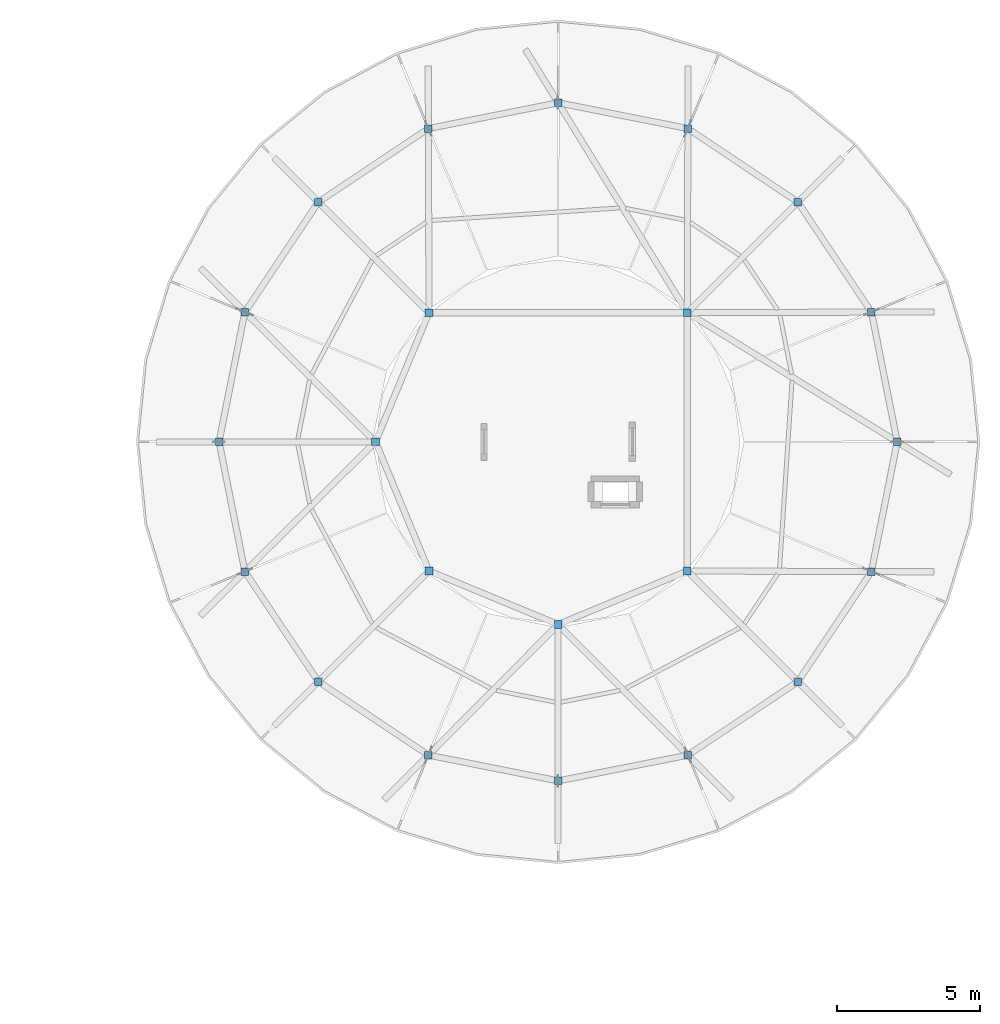
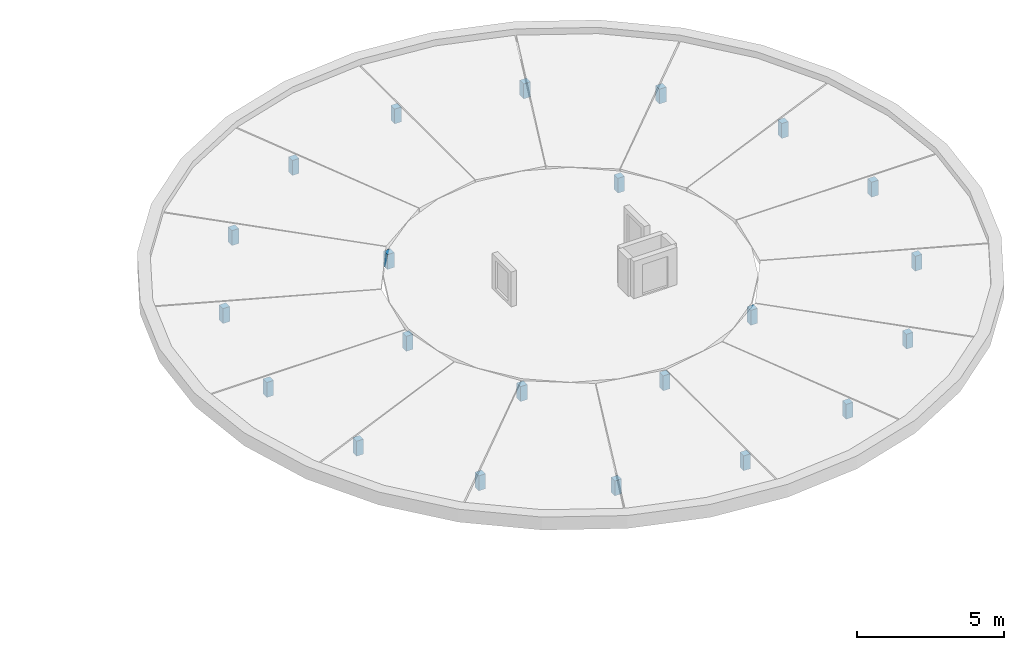
# One storey, part 3 of 30: 22 columns.
"""IFC4 building model written with IfcOpenShell, lengths in metres."""

import ifcopenshell
import ifcopenshell.guid

model = None  # the IFC model being written
_history = None  # IfcOwnerHistory: only IFC2X3 demands one
_inside = {}  # id of a spatial element -> (the spatial element, [elements in it])
_under = {}  # id of a project, library or spatial element -> (it, [spatial elements below it])
_declared = {}  # id of a project -> (the project, [libraries it declares])
_typed = {}  # id of a type object -> (the type object, [elements of that type])
_made_of = {}  # id of a material, layer set ... -> (it, [elements and type objects made of it])


def new_model(schema):
    """Start an empty IFC model of exactly this schema.

    Asked for "IFC4X3", IfcOpenShell would pick the latest addendum, in which some entities
    have other attributes; the version numbers below select the first issue.
    IFC2X3 requires an IfcOwnerHistory on every rooted entity: one is made here for all.
    """
    global model, _history
    if schema == "IFC4X3":
        model = ifcopenshell.file(schema_version=(4, 3, 0, 0))
    else:
        model = ifcopenshell.file(schema=schema)
    _inside.clear()
    _under.clear()
    _declared.clear()
    _typed.clear()
    _made_of.clear()
    _history = None
    if model.schema == "IFC2X3":
        org = make("IfcOrganization", Name="unknown")
        user = make(
            "IfcPersonAndOrganization",
            ThePerson=make("IfcPerson", FamilyName="unknown"),
            TheOrganization=org,
        )
        app = make(
            "IfcApplication",
            ApplicationDeveloper=org,
            Version="unknown",
            ApplicationFullName="unknown",
            ApplicationIdentifier="unknown",
        )
        _history = make(
            "IfcOwnerHistory",
            OwningUser=user,
            OwningApplication=app,
            ChangeAction="ADDED",
            CreationDate=0,
        )
    return model


def make(cls, **values):
    """One entity of the class cls with the attributes given. An attribute that is None is left unset."""
    return model.create_entity(
        cls, **{name: value for name, value in values.items() if value is not None}
    )


def rooted(cls, **values):
    """An entity with a GlobalId (a new one), such as an element, a storey or a relation."""
    return make(cls, GlobalId=ifcopenshell.guid.new(), OwnerHistory=_history, **values)


def si_unit(unit_type, name, prefix=None):
    """IfcSIUnit, for example si_unit("LENGTHUNIT", "METRE", prefix="MILLI")."""
    return make("IfcSIUnit", UnitType=unit_type, Prefix=prefix, Name=name)


def assignment(units):
    """IfcUnitAssignment: the units of a project."""
    return None if units is None else make("IfcUnitAssignment", Units=units)


def point(xyz):
    """IfcCartesianPoint."""
    return None if xyz is None else make("IfcCartesianPoint", Coordinates=xyz)


def direction(xyz):
    """IfcDirection."""
    return None if xyz is None else make("IfcDirection", DirectionRatios=xyz)


def frame(location, z_axis=None, x_axis=None):
    """IfcAxis2Placement3D, a coordinate frame: its origin and axes. An axis left out is left unset."""
    return make(
        "IfcAxis2Placement3D",
        Location=point(location),
        Axis=direction(z_axis),
        RefDirection=direction(x_axis),
    )


def frame_2d(location, x_axis=None):
    """IfcAxis2Placement2D, a coordinate frame in the plane: its origin and x axis."""
    return make(
        "IfcAxis2Placement2D", Location=point(location), RefDirection=direction(x_axis)
    )


def origin():
    """The frame at (0, 0, 0) with its axes left unset."""
    return frame((0.0, 0.0, 0.0))


def origin_2d():
    """The frame at (0, 0) in the plane with its x axis left unset."""
    return frame_2d((0.0, 0.0))


def place(relative_to, where):
    """IfcLocalPlacement: puts the frame where relative to a parent placement (None: the world)."""
    return make(
        "IfcLocalPlacement", PlacementRelTo=relative_to, RelativePlacement=where
    )


def context(
    kind, dimensions, precision=None, world=None, true_north=None, identifier=None
):
    """IfcGeometricRepresentationContext, for example the 3D "Model" context."""
    return make(
        "IfcGeometricRepresentationContext",
        ContextIdentifier=identifier,
        ContextType=kind,
        CoordinateSpaceDimension=dimensions,
        Precision=precision,
        WorldCoordinateSystem=world,
        TrueNorth=true_north,
    )


def subcontext(parent, identifier, kind, view, scale=None):
    """IfcGeometricRepresentationSubContext, for example "Body" below "Model"."""
    return make(
        "IfcGeometricRepresentationSubContext",
        ContextIdentifier=identifier,
        ContextType=kind,
        ParentContext=parent,
        TargetScale=scale,
        TargetView=view,
    )


def project(units=None, contexts=None):
    """IfcProject with its units and contexts."""
    return rooted(
        "IfcProject",
        Name="project",
        RepresentationContexts=contexts,
        UnitsInContext=assignment(units),
    )


def spatial(cls, under=None, at=None, **own):
    """A site, building, storey or space (cls), placed at a placement, below another one or the project."""
    s = rooted(cls, ObjectPlacement=at, **own)
    if under is not None:
        _under.setdefault(under.id(), (under, []))[1].append(s)
    return s


def profile(cls, at=None, kind="AREA", **sizes):
    """A parametric profile (cls). Its sizes go by their IFC names, for example OverallWidth=200.0."""
    return make(cls, ProfileType=kind, Position=at, **sizes)


def rectangle(**sizes):
    """IfcRectangleProfileDef."""
    return profile("IfcRectangleProfileDef", **sizes)


def extrude(swept, where, along, depth):
    """IfcExtrudedAreaSolid: the profile swept, set in the frame where, extruded along a direction by depth."""
    return make(
        "IfcExtrudedAreaSolid",
        SweptArea=swept,
        Position=where,
        ExtrudedDirection=direction(along),
        Depth=depth,
    )


def shape(context_of_items, identifier, shape_type, items):
    """IfcShapeRepresentation: the items that make up one representation, for example the "Body"."""
    return make(
        "IfcShapeRepresentation",
        ContextOfItems=context_of_items,
        RepresentationIdentifier=identifier,
        RepresentationType=shape_type,
        Items=items,
    )


def material(Name=None, Category=None):
    """IfcMaterial."""
    return make("IfcMaterial", Name=Name, Category=Category)


def material_profile(
    of_material, cross_section, Name=None, Category=None, Priority=None
):
    """IfcMaterialProfile: a cross section and its material."""
    return make(
        "IfcMaterialProfile",
        Name=Name,
        Material=of_material,
        Profile=cross_section,
        Priority=Priority,
        Category=Category,
    )


def profile_set(profiles, Name=None, composite=None):
    """IfcMaterialProfileSet."""
    return make(
        "IfcMaterialProfileSet",
        Name=Name,
        MaterialProfiles=profiles,
        CompositeProfile=composite,
    )


def made_of(thing, what):
    """Note that an element or type object is made of a material, layer set ...; save() writes the relation."""
    if what is not None:
        _made_of.setdefault(what.id(), (what, []))[1].append(thing)
    return thing


def type_object(cls, material=None, **own):
    """A type object (cls), such as IfcWallType, which elements share."""
    return made_of(rooted(cls, **own), material)


def element(
    cls,
    number,
    at=None,
    inside=None,
    cuts=None,
    type_object=None,
    material=None,
    context=None,
    identifier="Body",
    shape_type=None,
    held_by="IfcProductDefinitionShape",
    body=None,
    shapes=None,
    **own,
):
    """One element of the class cls, such as IfcWall. Its Tag is "e" and its number.

    at: its placement. inside: the storey or other place that contains it. cuts: it is an
    opening in that element (IfcRelVoidsElement). A single representation is given by context,
    identifier, shape_type and body (its items); several are given by shapes. held_by: the class
    of the entity that holds the representations. save() writes the other relations.
    """
    e = rooted(cls, Tag="e%d" % number, ObjectPlacement=at, **own)
    if body is not None:
        shapes = [shape(context, identifier, shape_type, body)]
    if shapes is not None:
        e.Representation = make(held_by, Representations=shapes)
    if inside is not None:
        _inside.setdefault(inside.id(), (inside, []))[1].append(e)
    if cuts is not None:
        rooted(
            "IfcRelVoidsElement", RelatingBuildingElement=cuts, RelatedOpeningElement=e
        )
    if type_object is not None:
        _typed.setdefault(type_object.id(), (type_object, []))[1].append(e)
    return made_of(e, material)


def aggregate(whole, parts):
    """IfcRelAggregates: a whole, such as a stair, and the parts it consists of."""
    return rooted("IfcRelAggregates", RelatingObject=whole, RelatedObjects=parts)


def save(model, path):
    """Write the relations noted so far, then the file.

    IfcRelAggregates (storeys below a building ...), IfcRelContainedInSpatialStructure (elements
    in a storey), IfcRelDefinesByType, IfcRelAssociatesMaterial and IfcRelDeclares: one each for
    every whole, place, type object, material and project.
    """
    for whole, parts in _under.values():
        aggregate(whole, parts)
    for where, things in _inside.values():
        rooted(
            "IfcRelContainedInSpatialStructure",
            RelatedElements=things,
            RelatingStructure=where,
        )
    for kind, things in _typed.values():
        rooted("IfcRelDefinesByType", RelatedObjects=things, RelatingType=kind)
    for what, things in _made_of.values():
        rooted("IfcRelAssociatesMaterial", RelatedObjects=things, RelatingMaterial=what)
    for by, libraries in _declared.values():
        rooted("IfcRelDeclares", RelatingContext=by, RelatedDefinitions=libraries)
    model.write(path)


model = new_model("IFC4")

# Units and contexts
model_context = context("Model", 3, precision=1e-05, world=origin(), true_north=direction((0.0, 1.0)))
body_context = subcontext(model_context, "Body", "Model", "MODEL_VIEW")
ifc_project = project(units=[si_unit("LENGTHUNIT", "METRE"), si_unit("AREAUNIT", "SQUARE_METRE"), si_unit("VOLUMEUNIT", "CUBIC_METRE"), si_unit("PLANEANGLEUNIT", "RADIAN"), si_unit("MASSUNIT", "GRAM", prefix="KILO")], contexts=[model_context])

# Site, building, storey
site_placement = place(None, origin())
site = spatial("IfcSite", under=ifc_project, at=site_placement, CompositionType="ELEMENT")
building_placement = place(site_placement, origin())
building = spatial("IfcBuilding", under=site, at=building_placement, Name="Aldenvaro Health Centre", CompositionType="ELEMENT")
storey_placement = place(building_placement, frame((0.0, 0.0, 17.14990234375)))
storey = spatial("IfcBuildingStorey", under=building, at=storey_placement, Name="L04", CompositionType="ELEMENT", Elevation=17.14990234375)

# Columns
ifc_material = material(Name="Glulam GL28h", Category="wood")
ifc_material_profile_1 = material_profile(ifc_material, rectangle(XDim=0.264892578125, YDim=0.264892578125, at=origin_2d()), Name="GL 265x265", Category="wood")
ifc_profile_set_1 = profile_set([ifc_material_profile_1], Name="Glulam GL28h")
column_type_1 = type_object("IfcColumnType", Name="COL-GL-265", PredefinedType="COLUMN", material=ifc_profile_set_1)
for number, where, z_axis, x_axis, name in (
    (1, (159.02490234375, 104.02490234375, 0.0), (0.0, 0.0, 1.0), (1.0, 0.0, 0.0), "D2 Roof Hub Post 01"),
    (2, (149.97509765625, 104.02490234375, 0.0), (0.0, 0.0, 1.0), (1.0, 0.0, 0.0), "D2 Roof Hub Post 02"),
    (3, (148.10009765625, 99.5, 0.0), (0.0, 0.0, 1.0), (1.0, 0.0, 0.0), "D2 Roof Hub Post 03"),
    (4, (149.97509765625, 94.97509765625, 0.0), (0.0, 0.0, 1.0), (1.0, 0.0, 0.0), "D2 Roof Hub Post 04"),
    (5, (154.5, 93.10009765625, 0.0), (0.0, 0.0, 1.0), (1.0, 0.0, 0.0), "D2 Roof Hub Post 05"),
    (6, (159.02490234375, 94.97509765625, 0.0), (0.0, 0.0, 1.0), (1.0, 0.0, 0.0), "D2 Roof Hub Post 06"),
):
    element("IfcColumn", number, at=place(storey_placement, frame(where, z_axis=z_axis, x_axis=x_axis)), inside=storey, type_object=column_type_1, Name=name, PredefinedType="COLUMN", context=body_context, shape_type="SweptSolid", body=[
        extrude(rectangle(XDim=0.264892578125, YDim=0.264892578125, at=origin_2d()), origin(), (0.0, 0.0, 1.0), 0.6201171875),
    ])
ifc_material_profile_2 = material_profile(ifc_material, rectangle(XDim=0.264892578125, YDim=0.264892578125, at=origin_2d()), Name="GL 265x265", Category="wood")
ifc_profile_set_2 = profile_set([ifc_material_profile_2], Name="Glulam GL28h")
column_type_2 = type_object("IfcColumnType", Name="COL-GL-265E", PredefinedType="COLUMN", material=ifc_profile_set_2)
for number, where, z_axis, x_axis, name in (
    (7, (166.3798828125, 99.5, 0.0), (0.0, 0.0, 1.0), (1.0, 0.0, 0.0), "D2 Roof Eave Post 01"),
    (8, (165.47607421875, 104.0458984375, 0.0), (0.0, 0.0, 1.0), (1.0, 0.0, 0.0), "D2 Roof Eave Post 02"),
    (9, (162.89990234375, 107.89990234375, 0.0), (0.0, 0.0, 1.0), (1.0, 0.0, 0.0), "D2 Roof Eave Post 03"),
    (10, (159.0458984375, 110.47607421875, 0.0), (0.0, 0.0, 1.0), (1.0, 0.0, 0.0), "D2 Roof Eave Post 04"),
    (11, (154.5, 111.3798828125, 0.0), (0.0, 0.0, 1.0), (1.0, 0.0, 0.0), "D2 Roof Eave Post 05"),
    (12, (149.9541015625, 110.47607421875, 0.0), (0.0, 0.0, 1.0), (1.0, 0.0, 0.0), "D2 Roof Eave Post 06"),
    (13, (146.10009765625, 107.89990234375, 0.0), (0.0, 0.0, 1.0), (1.0, 0.0, 0.0), "D2 Roof Eave Post 07"),
    (14, (143.52392578125, 104.0458984375, 0.0), (0.0, 0.0, 1.0), (1.0, 0.0, 0.0), "D2 Roof Eave Post 08"),
    (15, (142.6201171875, 99.5, 0.0), (0.0, 0.0, 1.0), (1.0, 0.0, 0.0), "D2 Roof Eave Post 09"),
    (16, (143.52392578125, 94.9541015625, 0.0), (0.0, 0.0, 1.0), (1.0, 0.0, 0.0), "D2 Roof Eave Post 10"),
    (17, (146.10009765625, 91.10009765625, 0.0), (0.0, 0.0, 1.0), (1.0, 0.0, 0.0), "D2 Roof Eave Post 11"),
    (18, (149.9541015625, 88.52392578125, 0.0), (0.0, 0.0, 1.0), (1.0, 0.0, 0.0), "D2 Roof Eave Post 12"),
    (19, (154.5, 87.6201171875, 0.0), (0.0, 0.0, 1.0), (1.0, 0.0, 0.0), "D2 Roof Eave Post 13"),
    (20, (159.0458984375, 88.52392578125, 0.0), (0.0, 0.0, 1.0), (1.0, 0.0, 0.0), "D2 Roof Eave Post 14"),
    (21, (162.89990234375, 91.10009765625, 0.0), (0.0, 0.0, 1.0), (1.0, 0.0, 0.0), "D2 Roof Eave Post 15"),
    (22, (165.47607421875, 94.9541015625, 0.0), (0.0, 0.0, 1.0), (1.0, 0.0, 0.0), "D2 Roof Eave Post 16"),
):
    element("IfcColumn", number, at=place(storey_placement, frame(where, z_axis=z_axis, x_axis=x_axis)), inside=storey, type_object=column_type_2, Name=name, PredefinedType="COLUMN", context=body_context, shape_type="SweptSolid", body=[
        extrude(rectangle(XDim=0.264892578125, YDim=0.264892578125, at=origin_2d()), origin(), (0.0, 0.0, 1.0), 0.6201171875),
    ])

save(model, "model.ifc")
